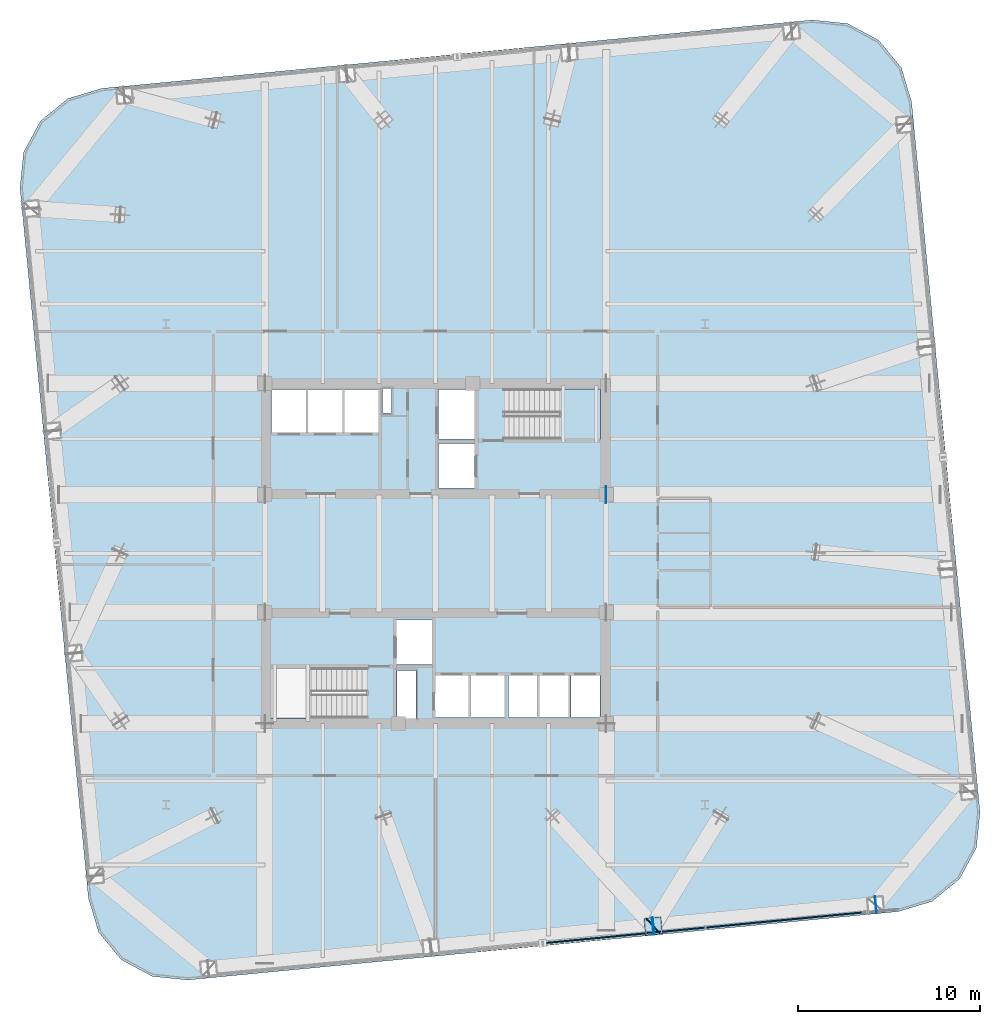
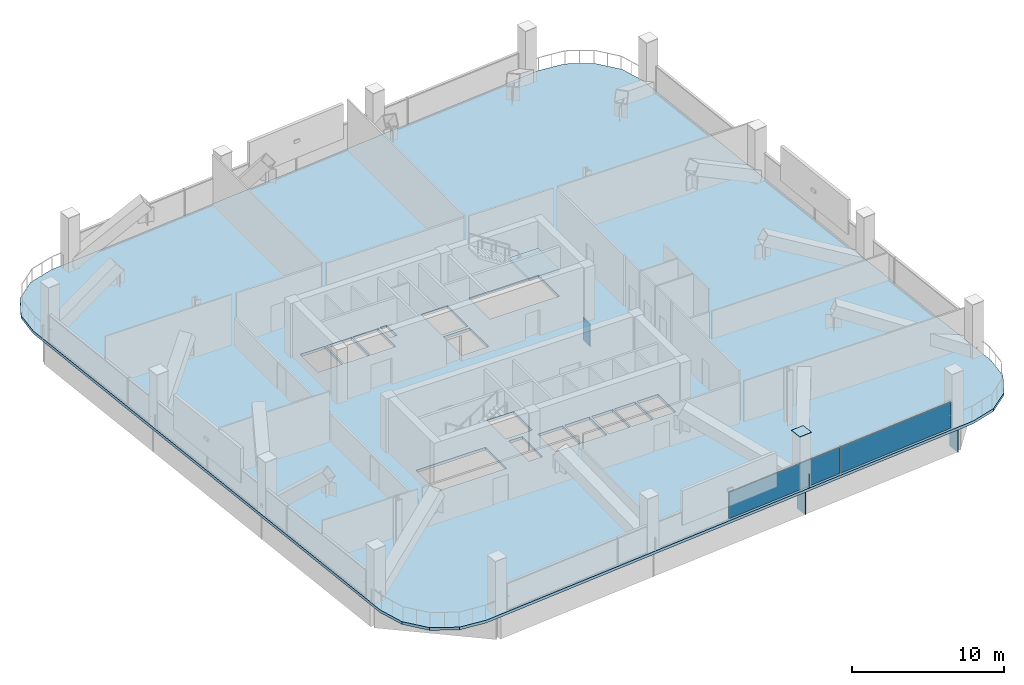
# One storey, part 22 of 30: 8 plates, 2 slabs, 2 elements without a shape of their own.
"""IFC4 building model written with IfcOpenShell, lengths in metres."""

from ifc_helpers import new_model, si_unit, direction, frame, origin, origin_2d, place, context, subcontext, project, spatial, polyline, rectangle, outline, extrude, material, layer, layer_set, type_object, element, aggregate, save


model = new_model("IFC4")

# Units and contexts
model_context = context("Model", 3, precision=1e-05, world=origin(), true_north=direction((0.0, 1.0)))
body_context = subcontext(model_context, "Body", "Model", "MODEL_VIEW")
ifc_project = project(units=[si_unit("LENGTHUNIT", "METRE"), si_unit("AREAUNIT", "SQUARE_METRE"), si_unit("VOLUMEUNIT", "CUBIC_METRE"), si_unit("PLANEANGLEUNIT", "RADIAN"), si_unit("MASSUNIT", "GRAM", prefix="KILO")], contexts=[model_context])

# Site, building, storey
site_placement = place(None, origin())
site = spatial("IfcSite", under=ifc_project, at=site_placement, CompositionType="ELEMENT")
building_placement = place(site_placement, origin())
building = spatial("IfcBuilding", under=site, at=building_placement, Name="Qhalaya Broadcast Tower", CompositionType="ELEMENT")
storey_placement = place(building_placement, frame((0.0, 0.0, 96.89990234375)))
storey = spatial("IfcBuildingStorey", under=building, at=storey_placement, Name="L28", CompositionType="ELEMENT", Elevation=96.89990234375)

# Plates
ifc_material_1 = material(Name="Structural Steel ASTM A572 Grade 50", Category="steel")
ifc_layer_1 = layer(ifc_material_1, 0.054931640625, Name="Structural Steel ASTM A572 Grade 50")
ifc_layer_set_1 = layer_set([ifc_layer_1], Name="Structural Steel ASTM A572 Grade 50")
plate_type_1 = type_object("IfcPlateType", Name="Exoskeleton Diamond Node Gusset Plate NP-01", PredefinedType="USERDEFINED", material=ifc_layer_set_1)
plate_1_placement = place(storey_placement, frame((11.955078125, -19.861083984375, 0.0), z_axis=(0.0, 0.0, 1.0), x_axis=(-0.674830642456, 0.73797263093, 0.0)))
element("IfcPlate", 1, at=plate_1_placement, inside=storey, type_object=plate_type_1, Name="L28 Strut Foot Gusset Plate 03", ObjectType="GUSSET_PLATE", PredefinedType="USERDEFINED", context=body_context, shape_type="SweptSolid", body=[
    extrude(rectangle(XDim=1.10009765625, YDim=0.06005859375, at=origin_2d()), origin(), (0.0, 0.0, 1.0), 1.10009765625),
])
ifc_layer_2 = layer(ifc_material_1, 0.4599609375, Name="Structural Steel ASTM A572 Grade 50")
ifc_layer_set_2 = layer_set([ifc_layer_2], Name="Structural Steel ASTM A572 Grade 50")
plate_type_2 = type_object("IfcPlateType", Name="Hollow Box Member End Cap Plate CP-01", PredefinedType="USERDEFINED", material=ifc_layer_set_2)
for number, where, z_axis, x_axis, name in (
    (2, (11.970947265625, -19.859619140625, -2.0400390625), (0.0, 0.0, 1.0), (-0.09584575252, 0.995396198367, 0.0), "L28 Hollow Girder End Cap L28-SPR-02-B"),
    (3, (11.939208984375, -19.86279296875, -2.0400390625), (0.0, 0.0, 1.0), (-0.09584575252, 0.995396198367, 0.0), "L28 Hollow Girder End Cap L28-SPR-03-A"),
    (4, (24.18115234375, -18.68408203125, -2.0400390625), (0.0, 0.0, 1.0), (-0.09584575252, 0.995396198367, 0.0), "L28 Hollow Girder End Cap L28-SPR-03-B"),
    (5, (9.35888671875, 3.824951171875, -2.0400390625), (0.0, 0.0, 1.0), (0.0, 1.0, 0.0), "L28 Hollow Girder End Cap L28-PGYE3-1-A"),
):
    element("IfcPlate", number, at=place(storey_placement, frame(where, z_axis=z_axis, x_axis=x_axis)), inside=storey, type_object=plate_type_2, Name=name, ObjectType="COVER_PLATE", PredefinedType="USERDEFINED", context=body_context, shape_type="SweptSolid", body=[
        extrude(rectangle(XDim=0.93994140625, YDim=0.031982421875, at=origin_2d()), origin(), (0.0, 0.0, 1.0), 1.840087890625),
    ])
plate_2_placement = place(storey_placement, frame((11.955078125, -19.861083984375, 4.35009765625), z_axis=(0.0, 0.0, 1.0), x_axis=(0.995396198367, 0.09584575252, 0.0)))
element("IfcPlate", 6, at=plate_2_placement, inside=storey, type_object=plate_type_2, Name="L28 Hollow Box Column Top Cap Plate COL-EX03", ObjectType="COVER_PLATE", PredefinedType="USERDEFINED", context=body_context, shape_type="SweptSolid", body=[
    extrude(rectangle(XDim=0.93994140625, YDim=0.93994140625, at=origin_2d()), origin(), (0.0, 0.0, 1.0), 0.031982421875),
])

# Curtain wall, plates
ifc_material_2 = material(Name="Fired Architectural Terracotta", Category="masonry")
ifc_layer_3 = layer(ifc_material_2, 0.219970703125, Name="Fired Architectural Terracotta")
ifc_layer_set_3 = layer_set([ifc_layer_3], Name="Fired Architectural Terracotta")
curtain_wall_type = type_object("IfcCurtainWallType", Name="Block-Cap Unitised Terracotta Spandrel Wall CW-07", PredefinedType="NOTDEFINED", material=ifc_layer_set_3)
curtain_wall_placement = place(storey_placement, origin())
curtain_wall = element("IfcCurtainWall", 7, at=curtain_wall_placement, inside=storey, type_object=curtain_wall_type, Name="L28 Unitised Curtain Wall L28-CW-S", PredefinedType="NOTDEFINED")
ifc_layer_4 = layer(ifc_material_2, 0.080078125, Name="Fired Architectural Terracotta")
ifc_layer_set_4 = layer_set([ifc_layer_4], Name="Fired Architectural Terracotta")
plate_type_3 = type_object("IfcPlateType", Name="Insulated Terracotta Spandrel Panel TSP-07", PredefinedType="CURTAIN_PANEL", material=ifc_layer_set_4)
plate_3_placement = place(storey_placement, frame((19.275146484375, -19.51806640625, 0.074951171875), z_axis=(0.0, 0.0, 1.0), x_axis=(-0.995396096278, -0.095846812756, 0.0)))
plate_3 = element("IfcPlate", 8, at=plate_3_placement, type_object=plate_type_3, Name="CW-07 panel 1.1", PredefinedType="CURTAIN_PANEL", context=body_context, shape_type="SweptSolid", body=[
    extrude(rectangle(XDim=8.868408203125, YDim=0.080078125, at=origin_2d()), origin(), (0.0, 0.0, 1.0), 2.10009765625),
])
plate_4_placement = place(storey_placement, frame((10.354248046875, -20.376953125, 0.074951171875), z_axis=(0.0, 0.0, 1.0), x_axis=(-0.995396096278, -0.095846812756, 0.0)))
plate_4 = element("IfcPlate", 9, at=plate_4_placement, type_object=plate_type_3, Name="CW-07 panel 2.1", PredefinedType="CURTAIN_PANEL", context=body_context, shape_type="SweptSolid", body=[
    extrude(rectangle(XDim=8.906005859375, YDim=0.080078125, at=origin_2d()), origin(), (0.0, 0.0, 1.0), 2.10009765625),
])
aggregate(curtain_wall, [plate_3, plate_4])

# Stair, slab
ifc_material_3 = material(Name="Concrete C40/50", Category="concrete")
stair_type = type_object("IfcStairType", Name="Protected Dogleg Core Stair 4200", PredefinedType="TWO_STRAIGHT_RUN_STAIR", material=ifc_material_3)
stair_placement = place(storey_placement, origin())
stair = element("IfcStair", 10, at=stair_placement, inside=storey, type_object=stair_type, Name="L28 North Core Exit Stair ST-1", PredefinedType="TWO_STRAIGHT_RUN_STAIR")
ifc_layer_5 = layer(ifc_material_3, 0.199951171875, Name="Concrete C40/50")
ifc_layer_set_5 = layer_set([ifc_layer_5], Name="Concrete C40/50")
slab_type_1 = type_object("IfcSlabType", Name="Stair & Ramp Half-Landing Slab 200", PredefinedType="LANDING", material=ifc_layer_set_5)
slab_1_placement = place(storey_placement, frame((0.0, 0.0, 1.97509765625)))
slab_1 = element("IfcSlab", 11, at=slab_1_placement, type_object=slab_type_1, Name="ST-1 landing 1", PredefinedType="LANDING", context=body_context, shape_type="SweptSolid", body=[
    extrude(outline(polyline([(6.794921875, 6.8798828125), (9.050048828125, 6.8798828125), (9.050048828125, 9.639892578125), (6.794921875, 9.639892578125), (6.794921875, 6.8798828125)])), origin(), (0.0, 0.0, 1.0), 0.199951171875),
])
aggregate(stair, [slab_1])

# Slab
ifc_layer_6 = layer(ifc_material_3, 0.219970703125, Name="Concrete C40/50")
ifc_layer_set_6 = layer_set([ifc_layer_6], Name="Concrete C40/50")
slab_type_2 = type_object("IfcSlabType", Name="Tower Composite Floor Slab 220", PredefinedType="FLOOR", material=ifc_layer_set_6)
slab_2_placement = place(storey_placement, frame((0.0, 0.0, -0.219970703125)))
element("IfcSlab", 12, at=slab_2_placement, inside=storey, type_object=slab_type_2, Name="L28 Main Structural Floor Slab", PredefinedType="FLOOR", context=body_context, shape_type="SweptSolid", body=[
    extrude(outline(polyline([(25.40771484375, -19.068115234375), (27.275634765625, -18.505859375), (28.78662109375, -17.271484375), (29.7099609375, -15.552978515625), (29.9052734375, -13.612060546875), (26.148193359375, 25.40771484375), (25.5859375, 27.275634765625), (24.3515625, 28.78662109375), (22.633056640625, 29.7099609375), (20.69189453125, 29.9052734375), (-18.32763671875, 26.148193359375), (-20.19580078125, 25.5859375), (-21.70654296875, 24.3515625), (-22.6298828125, 22.633056640625), (-22.8251953125, 20.69189453125), (-19.068115234375, -18.32763671875), (-18.505859375, -20.19580078125), (-17.271484375, -21.70654296875), (-15.552978515625, -22.6298828125), (-13.612060546875, -22.8251953125), (25.40771484375, -19.068115234375)]), holes=[polyline([(3.784912109375, 9.639892578125), (9.050048828125, 9.639892578125), (9.050048828125, 6.8798828125), (3.784912109375, 6.8798828125), (3.784912109375, 9.639892578125)]), polyline([(-3.784912109375, -8.43994140625), (-9.050048828125, -8.43994140625), (-9.050048828125, -5.679931640625), (-3.784912109375, -5.679931640625), (-3.784912109375, -8.43994140625)]), polyline([(0.14990234375, 6.64990234375), (2.14990234375, 6.64990234375), (2.14990234375, 4.199951171875), (0.14990234375, 4.199951171875), (0.14990234375, 6.64990234375)]), polyline([(0.14990234375, 9.60009765625), (2.14990234375, 9.60009765625), (2.14990234375, 6.89990234375), (0.14990234375, 6.89990234375), (0.14990234375, 9.60009765625)]), polyline([(-2.14990234375, -3.050048828125), (-0.14990234375, -3.050048828125), (-0.14990234375, -5.5), (-2.14990234375, -5.5), (-2.14990234375, -3.050048828125)]), polyline([(-9.0, 9.60009765625), (-7.1201171875, 9.60009765625), (-7.1201171875, 7.25), (-9.0, 7.25), (-9.0, 9.60009765625)]), polyline([(-7.0, 9.60009765625), (-5.1201171875, 9.60009765625), (-5.1201171875, 7.25), (-7.0, 7.25), (-7.0, 9.60009765625)]), polyline([(-5.0, 9.60009765625), (-3.1201171875, 9.60009765625), (-3.1201171875, 7.25), (-5.0, 7.25), (-5.0, 9.60009765625)]), polyline([(-0.050048828125, -6.10009765625), (1.830078125, -6.10009765625), (1.830078125, -8.39990234375), (-0.050048828125, -8.39990234375), (-0.050048828125, -6.10009765625)]), polyline([(1.949951171875, -6.10009765625), (3.830078125, -6.10009765625), (3.830078125, -8.39990234375), (1.949951171875, -8.39990234375), (1.949951171875, -6.10009765625)]), polyline([(4.0, -6.10009765625), (5.60009765625, -6.10009765625), (5.60009765625, -8.39990234375), (4.0, -8.39990234375), (4.0, -6.10009765625)]), polyline([(5.719970703125, -6.10009765625), (7.320068359375, -6.10009765625), (7.320068359375, -8.39990234375), (5.719970703125, -8.39990234375), (5.719970703125, -6.10009765625)]), polyline([(7.43994140625, -6.10009765625), (9.0400390625, -6.10009765625), (9.0400390625, -8.39990234375), (7.43994140625, -8.39990234375), (7.43994140625, -6.10009765625)]), polyline([(-2.919921875, 9.659912109375), (-2.419921875, 9.659912109375), (-2.419921875, 8.320068359375), (-2.919921875, 8.320068359375), (-2.919921875, 9.659912109375)]), polyline([(-2.1201171875, -5.820068359375), (-1.080078125, -5.820068359375), (-1.080078125, -8.4599609375), (-2.1201171875, -8.4599609375), (-2.1201171875, -5.820068359375)])]), origin(), (0.0, 0.0, 1.0), 0.219970703125),
])

save(model, "model.ifc")
